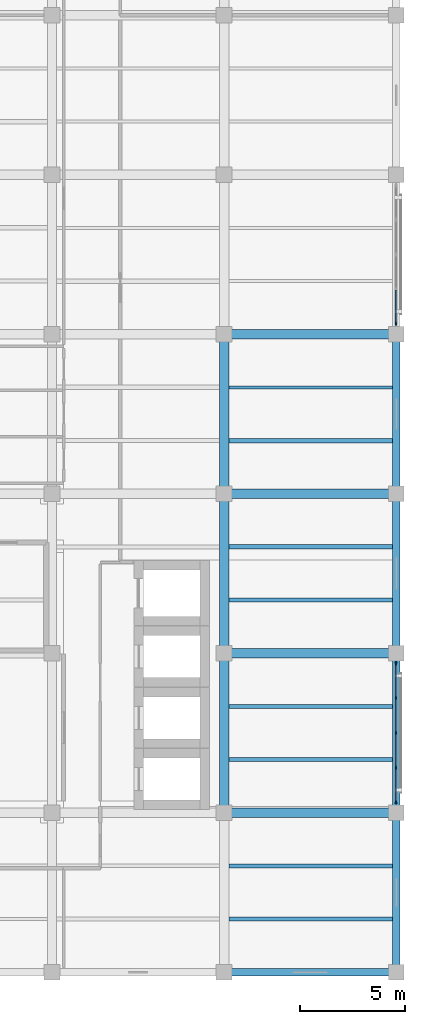
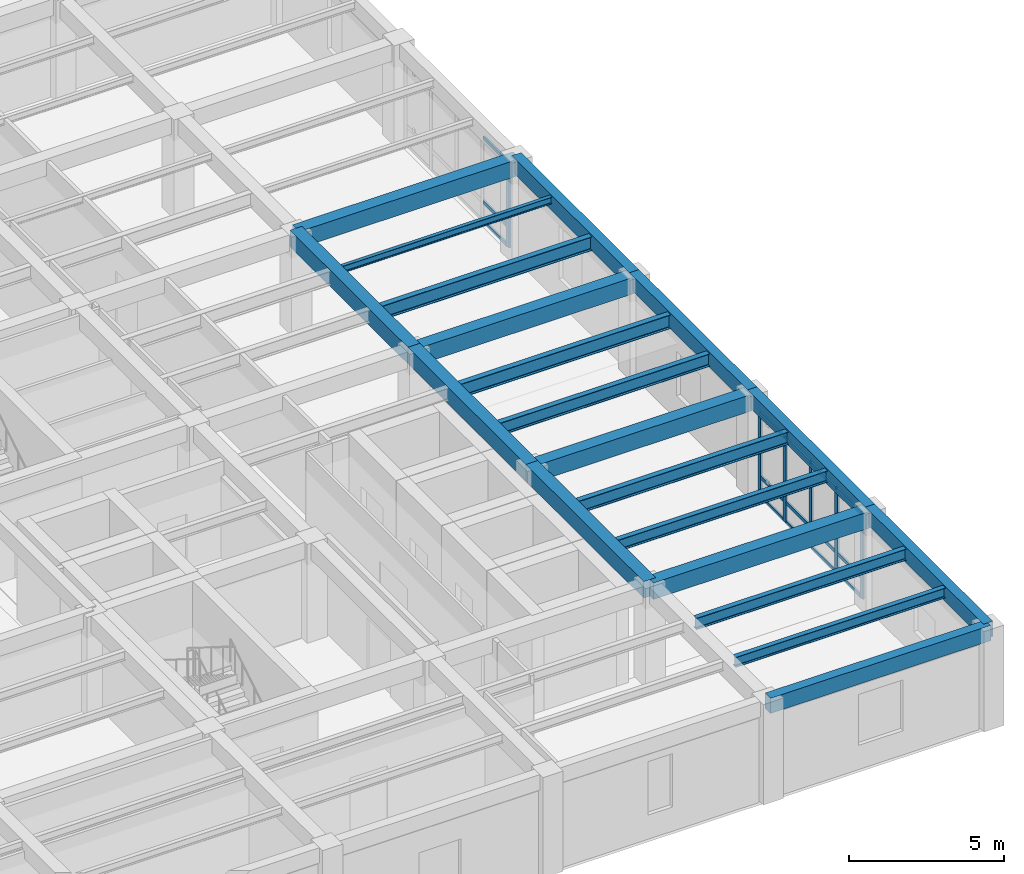
# One storey, part 3 of 14: 21 members, 20 beams, 2 elements without a shape of their own.
"""IFC4 building model written with IfcOpenShell, lengths in metres."""

from ifc_helpers import new_model, si_unit, direction, frame, origin, origin_2d, place, context, subcontext, project, spatial, rectangle, i_section, extrude, material, material_profile, profile_set, type_object, element, aggregate, save


model = new_model("IFC4")

# Units and contexts
model_context = context("Model", 3, precision=1e-05, world=origin(), true_north=direction((0.0, 1.0)))
body_context = subcontext(model_context, "Body", "Model", "MODEL_VIEW")
ifc_project = project(units=[si_unit("LENGTHUNIT", "METRE"), si_unit("AREAUNIT", "SQUARE_METRE"), si_unit("VOLUMEUNIT", "CUBIC_METRE"), si_unit("PLANEANGLEUNIT", "RADIAN"), si_unit("MASSUNIT", "GRAM", prefix="KILO")], contexts=[model_context])

# Site, building, storey
site_placement = place(None, origin())
site = spatial("IfcSite", under=ifc_project, at=site_placement, CompositionType="ELEMENT")
building_placement = place(site_placement, origin())
building = spatial("IfcBuilding", under=site, at=building_placement, Name="Qandaris Square Conservatory and Botanical Centre", CompositionType="ELEMENT")
storey_placement = place(building_placement, frame((0.0, 0.0, 49.199951171875)))
storey = spatial("IfcBuildingStorey", under=building, at=storey_placement, Name="L11", CompositionType="ELEMENT", Elevation=49.199951171875)

# Beams
ifc_material_1 = material(Name="Steel S355", Category="steel")
ifc_material_profile_1 = material_profile(ifc_material_1, i_section(OverallWidth=0.18994140625, OverallDepth=0.449951171875, WebThickness=0.009521484375, FlangeThickness=0.0146484375, FilletRadius=0.02099609375, at=origin_2d()), Name="IPE 450")
ifc_profile_set_1 = profile_set([ifc_material_profile_1], Name="Steel S355")
beam_type_1 = type_object("IfcBeamType", Name="Composite Archive Joist IPE 450", PredefinedType="JOIST", material=ifc_profile_set_1)
for number, where, z_axis, x_axis, name in (
    (1, (155.824951171875, 21.666748046875, 3.6650390625), (1.0, 0.0, 0.0), (0.0, 1.0, 0.0), "L11 Composite Joist 2633"),
    (2, (155.824951171875, 26.7333984375, 3.6650390625), (1.0, 0.0, 0.0), (0.0, 1.0, 0.0), "L11 Composite Joist 2634"),
):
    element("IfcBeam", number, at=place(storey_placement, frame(where, z_axis=z_axis, x_axis=x_axis)), inside=storey, type_object=beam_type_1, Name=name, PredefinedType="JOIST", context=body_context, shape_type="SweptSolid", body=[
        extrude(i_section(OverallWidth=0.18994140625, OverallDepth=0.449951171875, WebThickness=0.009521484375, FlangeThickness=0.0146484375, FilletRadius=0.02099609375, at=origin_2d()), origin(), (0.0, 0.0, 1.0), 7.800048828125),
    ])
ifc_material_profile_2 = material_profile(ifc_material_1, i_section(OverallWidth=0.199951171875, OverallDepth=0.5, WebThickness=0.01025390625, FlangeThickness=0.01611328125, FilletRadius=0.02099609375, at=origin_2d()), Name="IPE 500")
ifc_profile_set_2 = profile_set([ifc_material_profile_2], Name="Steel S355")
beam_type_2 = type_object("IfcBeamType", Name="Composite Gallery Joist IPE 500", PredefinedType="JOIST", material=ifc_profile_set_2)
for number, where, z_axis, x_axis, name in (
    (3, (155.824951171875, 29.2666015625, 3.64013671875), (1.0, 0.0, 0.0), (0.0, 1.0, 0.0), "L11 Composite Joist 2635"),
    (4, (155.824951171875, 34.333251953125, 3.64013671875), (1.0, 0.0, 0.0), (0.0, 1.0, 0.0), "L11 Composite Joist 2636"),
):
    element("IfcBeam", number, at=place(storey_placement, frame(where, z_axis=z_axis, x_axis=x_axis)), inside=storey, type_object=beam_type_2, Name=name, PredefinedType="JOIST", context=body_context, shape_type="SweptSolid", body=[
        extrude(i_section(OverallWidth=0.199951171875, OverallDepth=0.5, WebThickness=0.01025390625, FlangeThickness=0.01611328125, FilletRadius=0.02099609375, at=origin_2d()), origin(), (0.0, 0.0, 1.0), 7.800048828125),
    ])
ifc_material_profile_3 = material_profile(ifc_material_1, i_section(OverallWidth=0.179931640625, OverallDepth=0.39990234375, WebThickness=0.008544921875, FlangeThickness=0.013427734375, FilletRadius=0.02099609375, at=origin_2d()), Name="IPE 400")
ifc_profile_set_3 = profile_set([ifc_material_profile_3], Name="Steel S355")
beam_type_3 = type_object("IfcBeamType", Name="Composite Plinth Joist IPE 400", PredefinedType="JOIST", material=ifc_profile_set_3)
beam_1_placement = place(storey_placement, frame((155.824951171875, 19.13330078125, 3.68994140625), z_axis=(1.0, 0.0, 0.0), x_axis=(0.0, 1.0, 0.0)))
element("IfcBeam", 5, at=beam_1_placement, inside=storey, type_object=beam_type_3, Name="L11 Composite Joist 2632", PredefinedType="JOIST", context=body_context, shape_type="SweptSolid", body=[
    extrude(i_section(OverallWidth=0.179931640625, OverallDepth=0.39990234375, WebThickness=0.008544921875, FlangeThickness=0.013427734375, FilletRadius=0.02099609375, at=origin_2d()), origin(), (0.0, 0.0, 1.0), 7.800048828125),
])

# Curtain wall, members
ifc_material_2 = material(Name="Anodised Aluminium", Category="aluminium")
curtain_wall_type = type_object("IfcCurtainWallType", Name="Unitised Curtain Wall CW-4-665x334", PredefinedType="USERDEFINED", material=ifc_material_2)
curtain_wall_1_placement = place(storey_placement, origin())
curtain_wall_1 = element("IfcCurtainWall", 6, at=curtain_wall_1_placement, inside=storey, type_object=curtain_wall_type, Name="Curtain Wall CW-TWR-L11-2-2", ObjectType="GLAZED CURTAIN WALL", PredefinedType="USERDEFINED")
ifc_material_profile_4 = material_profile(ifc_material_2, rectangle(XDim=0.06494140625, YDim=0.179931640625, at=origin_2d()), Name="ALU-MUL 65x180")
ifc_profile_set_4 = profile_set([ifc_material_profile_4], Name="Anodised Aluminium")
member_type_1 = type_object("IfcMemberType", Name="Curtain Wall Mullion 65x180", PredefinedType="MULLION", material=ifc_profile_set_4)
member_1_placement = place(storey_placement, frame((163.800048828125, 24.70751953125, 0.0), z_axis=(0.0, 0.0, 1.0), x_axis=(-1.0, 0.0, 0.0)))
member_1 = element("IfcMember", 7, at=member_1_placement, type_object=member_type_1, Name="CW-4-665x334 mullion 1", PredefinedType="MULLION", context=body_context, shape_type="SweptSolid", body=[
    extrude(rectangle(XDim=0.06494140625, YDim=0.179931640625, at=origin_2d()), origin(), (0.0, 0.0, 1.0), 3.344970703125),
])
member_2_placement = place(storey_placement, frame((163.800048828125, 26.33740234375, 0.0), z_axis=(0.0, 0.0, 1.0), x_axis=(-1.0, 0.0, 0.0)))
member_2 = element("IfcMember", 8, at=member_2_placement, type_object=member_type_1, Name="CW-4-665x334 mullion 2", PredefinedType="MULLION", context=body_context, shape_type="SweptSolid", body=[
    extrude(rectangle(XDim=0.06494140625, YDim=0.179931640625, at=origin_2d()), origin(), (0.0, 0.0, 1.0), 3.344970703125),
])
member_3_placement = place(storey_placement, frame((163.800048828125, 28.0, 0.0), z_axis=(0.0, 0.0, 1.0), x_axis=(-1.0, 0.0, 0.0)))
member_3 = element("IfcMember", 9, at=member_3_placement, type_object=member_type_1, Name="CW-4-665x334 mullion 3", PredefinedType="MULLION", context=body_context, shape_type="SweptSolid", body=[
    extrude(rectangle(XDim=0.06494140625, YDim=0.179931640625, at=origin_2d()), origin(), (0.0, 0.0, 1.0), 3.344970703125),
])
member_4_placement = place(storey_placement, frame((163.800048828125, 29.66259765625, 0.0), z_axis=(0.0, 0.0, 1.0), x_axis=(-1.0, 0.0, 0.0)))
member_4 = element("IfcMember", 10, at=member_4_placement, type_object=member_type_1, Name="CW-4-665x334 mullion 4", PredefinedType="MULLION", context=body_context, shape_type="SweptSolid", body=[
    extrude(rectangle(XDim=0.06494140625, YDim=0.179931640625, at=origin_2d()), origin(), (0.0, 0.0, 1.0), 3.344970703125),
])
member_5_placement = place(storey_placement, frame((163.800048828125, 31.29248046875, 0.0), z_axis=(0.0, 0.0, 1.0), x_axis=(-1.0, 0.0, 0.0)))
member_5 = element("IfcMember", 11, at=member_5_placement, type_object=member_type_1, Name="CW-4-665x334 mullion 5", PredefinedType="MULLION", context=body_context, shape_type="SweptSolid", body=[
    extrude(rectangle(XDim=0.06494140625, YDim=0.179931640625, at=origin_2d()), origin(), (0.0, 0.0, 1.0), 3.344970703125),
])

# Curtain wall, member
curtain_wall_2_placement = place(storey_placement, origin())
curtain_wall_2 = element("IfcCurtainWall", 12, at=curtain_wall_2_placement, inside=storey, type_object=curtain_wall_type, Name="Curtain Wall CW-TWR-L11-2-5", ObjectType="GLAZED CURTAIN WALL", PredefinedType="USERDEFINED")
member_6_placement = place(storey_placement, frame((163.800048828125, 47.507568359375, 0.0), z_axis=(0.0, 0.0, 1.0), x_axis=(-1.0, 0.0, 0.0)))
member_6 = element("IfcMember", 13, at=member_6_placement, type_object=member_type_1, Name="CW-4-665x334 mullion 1", PredefinedType="MULLION", context=body_context, shape_type="SweptSolid", body=[
    extrude(rectangle(XDim=0.06494140625, YDim=0.179931640625, at=origin_2d()), origin(), (0.0, 0.0, 1.0), 3.344970703125),
])

# Member
ifc_material_profile_5 = material_profile(ifc_material_2, rectangle(XDim=0.06494140625, YDim=0.139892578125, at=origin_2d()), Name="ALU-TRN 65x140")
ifc_profile_set_5 = profile_set([ifc_material_profile_5], Name="Anodised Aluminium")
member_type_2 = type_object("IfcMemberType", Name="Curtain Wall Transom 65x140", PredefinedType="USERDEFINED", material=ifc_profile_set_5)
member_7_placement = place(storey_placement, frame((163.800048828125, 24.739990234375, 0.032470703125), z_axis=(0.0, 1.0, 0.0), x_axis=(-1.0, 0.0, 0.0)))
member_7 = element("IfcMember", 14, at=member_7_placement, type_object=member_type_2, Name="CW-4-665x334 transom 1.1", ObjectType="TRANSOM", PredefinedType="USERDEFINED", context=body_context, shape_type="SweptSolid", body=[
    extrude(rectangle(XDim=0.06494140625, YDim=0.139892578125, at=origin_2d()), origin(), (0.0, 0.0, 1.0), 1.56494140625),
])

member_8_placement = place(storey_placement, frame((163.800048828125, 24.739990234375, 0.802734375), z_axis=(0.0, 1.0, 0.0), x_axis=(-1.0, 0.0, 0.0)))
member_8 = element("IfcMember", 15, at=member_8_placement, type_object=member_type_2, Name="CW-4-665x334 transom 1.2", ObjectType="TRANSOM", PredefinedType="USERDEFINED", context=body_context, shape_type="SweptSolid", body=[
    extrude(rectangle(XDim=0.06494140625, YDim=0.139892578125, at=origin_2d()), origin(), (0.0, 0.0, 1.0), 1.56494140625),
])

member_9_placement = place(storey_placement, frame((163.800048828125, 24.739990234375, 3.3125), z_axis=(0.0, 1.0, 0.0), x_axis=(-1.0, 0.0, 0.0)))
member_9 = element("IfcMember", 16, at=member_9_placement, type_object=member_type_2, Name="CW-4-665x334 transom 1.3", ObjectType="TRANSOM", PredefinedType="USERDEFINED", context=body_context, shape_type="SweptSolid", body=[
    extrude(rectangle(XDim=0.06494140625, YDim=0.139892578125, at=origin_2d()), origin(), (0.0, 0.0, 1.0), 1.56494140625),
])

member_10_placement = place(storey_placement, frame((163.800048828125, 26.3701171875, 0.032470703125), z_axis=(0.0, 1.0, 0.0), x_axis=(-1.0, 0.0, 0.0)))
member_10 = element("IfcMember", 17, at=member_10_placement, type_object=member_type_2, Name="CW-4-665x334 transom 2.1", ObjectType="TRANSOM", PredefinedType="USERDEFINED", context=body_context, shape_type="SweptSolid", body=[
    extrude(rectangle(XDim=0.06494140625, YDim=0.139892578125, at=origin_2d()), origin(), (0.0, 0.0, 1.0), 1.597412109375),
])

member_11_placement = place(storey_placement, frame((163.800048828125, 26.3701171875, 0.802734375), z_axis=(0.0, 1.0, 0.0), x_axis=(-1.0, 0.0, 0.0)))
member_11 = element("IfcMember", 18, at=member_11_placement, type_object=member_type_2, Name="CW-4-665x334 transom 2.2", ObjectType="TRANSOM", PredefinedType="USERDEFINED", context=body_context, shape_type="SweptSolid", body=[
    extrude(rectangle(XDim=0.06494140625, YDim=0.139892578125, at=origin_2d()), origin(), (0.0, 0.0, 1.0), 1.597412109375),
])

member_12_placement = place(storey_placement, frame((163.800048828125, 26.3701171875, 3.3125), z_axis=(0.0, 1.0, 0.0), x_axis=(-1.0, 0.0, 0.0)))
member_12 = element("IfcMember", 19, at=member_12_placement, type_object=member_type_2, Name="CW-4-665x334 transom 2.3", ObjectType="TRANSOM", PredefinedType="USERDEFINED", context=body_context, shape_type="SweptSolid", body=[
    extrude(rectangle(XDim=0.06494140625, YDim=0.139892578125, at=origin_2d()), origin(), (0.0, 0.0, 1.0), 1.597412109375),
])

member_13_placement = place(storey_placement, frame((163.800048828125, 28.032470703125, 0.032470703125), z_axis=(0.0, 1.0, 0.0), x_axis=(-1.0, 0.0, 0.0)))
member_13 = element("IfcMember", 20, at=member_13_placement, type_object=member_type_2, Name="CW-4-665x334 transom 3.1", ObjectType="TRANSOM", PredefinedType="USERDEFINED", context=body_context, shape_type="SweptSolid", body=[
    extrude(rectangle(XDim=0.06494140625, YDim=0.139892578125, at=origin_2d()), origin(), (0.0, 0.0, 1.0), 1.597412109375),
])

member_14_placement = place(storey_placement, frame((163.800048828125, 28.032470703125, 0.802734375), z_axis=(0.0, 1.0, 0.0), x_axis=(-1.0, 0.0, 0.0)))
member_14 = element("IfcMember", 21, at=member_14_placement, type_object=member_type_2, Name="CW-4-665x334 transom 3.2", ObjectType="TRANSOM", PredefinedType="USERDEFINED", context=body_context, shape_type="SweptSolid", body=[
    extrude(rectangle(XDim=0.06494140625, YDim=0.139892578125, at=origin_2d()), origin(), (0.0, 0.0, 1.0), 1.597412109375),
])

member_15_placement = place(storey_placement, frame((163.800048828125, 28.032470703125, 3.3125), z_axis=(0.0, 1.0, 0.0), x_axis=(-1.0, 0.0, 0.0)))
member_15 = element("IfcMember", 22, at=member_15_placement, type_object=member_type_2, Name="CW-4-665x334 transom 3.3", ObjectType="TRANSOM", PredefinedType="USERDEFINED", context=body_context, shape_type="SweptSolid", body=[
    extrude(rectangle(XDim=0.06494140625, YDim=0.139892578125, at=origin_2d()), origin(), (0.0, 0.0, 1.0), 1.597412109375),
])

member_16_placement = place(storey_placement, frame((163.800048828125, 29.695068359375, 0.032470703125), z_axis=(0.0, 1.0, 0.0), x_axis=(-1.0, 0.0, 0.0)))
member_16 = element("IfcMember", 23, at=member_16_placement, type_object=member_type_2, Name="CW-4-665x334 transom 4.1", ObjectType="TRANSOM", PredefinedType="USERDEFINED", context=body_context, shape_type="SweptSolid", body=[
    extrude(rectangle(XDim=0.06494140625, YDim=0.139892578125, at=origin_2d()), origin(), (0.0, 0.0, 1.0), 1.56494140625),
])

member_17_placement = place(storey_placement, frame((163.800048828125, 29.695068359375, 0.802734375), z_axis=(0.0, 1.0, 0.0), x_axis=(-1.0, 0.0, 0.0)))
member_17 = element("IfcMember", 24, at=member_17_placement, type_object=member_type_2, Name="CW-4-665x334 transom 4.2", ObjectType="TRANSOM", PredefinedType="USERDEFINED", context=body_context, shape_type="SweptSolid", body=[
    extrude(rectangle(XDim=0.06494140625, YDim=0.139892578125, at=origin_2d()), origin(), (0.0, 0.0, 1.0), 1.56494140625),
])

member_18_placement = place(storey_placement, frame((163.800048828125, 29.695068359375, 3.3125), z_axis=(0.0, 1.0, 0.0), x_axis=(-1.0, 0.0, 0.0)))
member_18 = element("IfcMember", 25, at=member_18_placement, type_object=member_type_2, Name="CW-4-665x334 transom 4.3", ObjectType="TRANSOM", PredefinedType="USERDEFINED", context=body_context, shape_type="SweptSolid", body=[
    extrude(rectangle(XDim=0.06494140625, YDim=0.139892578125, at=origin_2d()), origin(), (0.0, 0.0, 1.0), 1.56494140625),
])

aggregate(curtain_wall_1, [member_1, member_2, member_3, member_4, member_5, member_7, member_8, member_9, member_10, member_11, member_12, member_13, member_14, member_15, member_16, member_17, member_18])

member_19_placement = place(storey_placement, frame((163.800048828125, 47.5400390625, 0.032470703125), z_axis=(0.0, 1.0, 0.0), x_axis=(-1.0, 0.0, 0.0)))
member_19 = element("IfcMember", 26, at=member_19_placement, type_object=member_type_2, Name="CW-4-665x334 transom 1.1", ObjectType="TRANSOM", PredefinedType="USERDEFINED", context=body_context, shape_type="SweptSolid", body=[
    extrude(rectangle(XDim=0.06494140625, YDim=0.139892578125, at=origin_2d()), origin(), (0.0, 0.0, 1.0), 1.56494140625),
])

member_20_placement = place(storey_placement, frame((163.800048828125, 47.5400390625, 0.802734375), z_axis=(0.0, 1.0, 0.0), x_axis=(-1.0, 0.0, 0.0)))
member_20 = element("IfcMember", 27, at=member_20_placement, type_object=member_type_2, Name="CW-4-665x334 transom 1.2", ObjectType="TRANSOM", PredefinedType="USERDEFINED", context=body_context, shape_type="SweptSolid", body=[
    extrude(rectangle(XDim=0.06494140625, YDim=0.139892578125, at=origin_2d()), origin(), (0.0, 0.0, 1.0), 1.56494140625),
])

member_21_placement = place(storey_placement, frame((163.800048828125, 47.5400390625, 3.3125), z_axis=(0.0, 1.0, 0.0), x_axis=(-1.0, 0.0, 0.0)))
member_21 = element("IfcMember", 28, at=member_21_placement, type_object=member_type_2, Name="CW-4-665x334 transom 1.3", ObjectType="TRANSOM", PredefinedType="USERDEFINED", context=body_context, shape_type="SweptSolid", body=[
    extrude(rectangle(XDim=0.06494140625, YDim=0.139892578125, at=origin_2d()), origin(), (0.0, 0.0, 1.0), 1.56494140625),
])

aggregate(curtain_wall_2, [member_6, member_19, member_20, member_21])

# Beams
ifc_material_profile_6 = material_profile(ifc_material_1, i_section(OverallWidth=0.2099609375, OverallDepth=0.550048828125, WebThickness=0.010986328125, FlangeThickness=0.01708984375, FilletRadius=0.02392578125, at=origin_2d()), Name="IPE 550")
ifc_profile_set_6 = profile_set([ifc_material_profile_6], Name="Steel S355")
beam_type_4 = type_object("IfcBeamType", Name="Long-Span Foyer Joist IPE 550", PredefinedType="JOIST", material=ifc_profile_set_6)
for number, where, z_axis, x_axis, name in (
    (29, (155.824951171875, 36.86669921875, 3.614990234375), (1.0, 0.0, 0.0), (0.0, 1.0, 0.0), "L11 Composite Joist 2637"),
    (30, (155.824951171875, 41.933349609375, 3.614990234375), (1.0, 0.0, 0.0), (0.0, 1.0, 0.0), "L11 Composite Joist 2638"),
):
    element("IfcBeam", number, at=place(storey_placement, frame(where, z_axis=z_axis, x_axis=x_axis)), inside=storey, type_object=beam_type_4, Name=name, PredefinedType="JOIST", context=body_context, shape_type="SweptSolid", body=[
        extrude(i_section(OverallWidth=0.2099609375, OverallDepth=0.550048828125, WebThickness=0.010986328125, FlangeThickness=0.01708984375, FilletRadius=0.02392578125, at=origin_2d()), origin(), (0.0, 0.0, 1.0), 7.800048828125),
    ])
ifc_material_3 = material(Name="Concrete C50/60", Category="concrete")
ifc_material_profile_7 = material_profile(ifc_material_3, rectangle(XDim=0.35009765625, YDim=0.60009765625, at=origin_2d()), Name="RC-SP 350x600")
ifc_profile_set_7 = profile_set([ifc_material_profile_7], Name="Concrete C50/60")
beam_type_5 = type_object("IfcBeamType", Name="RC Edge Spandrel Beam 350x600", PredefinedType="SPANDREL", material=ifc_profile_set_7)
beam_2_placement = place(storey_placement, frame((155.60009765625, 16.60009765625, 3.64501953125), z_axis=(1.0, 0.0, 0.0), x_axis=(0.0, 1.0, 0.0)))
element("IfcBeam", 31, at=beam_2_placement, inside=storey, type_object=beam_type_5, Name="L11 Frame Beam 2547", PredefinedType="SPANDREL", context=body_context, shape_type="SweptSolid", body=[
    extrude(rectangle(XDim=0.35009765625, YDim=0.60009765625, at=origin_2d()), origin(), (0.0, 0.0, 1.0), 8.199951171875),
])
beam_3_placement = place(storey_placement, frame((163.800048828125, 16.60009765625, 3.64501953125), z_axis=(0.0, 1.0, 0.0), x_axis=(-1.0, 0.0, 0.0)))
element("IfcBeam", 32, at=beam_3_placement, inside=storey, type_object=beam_type_5, Name="L11 Frame Beam 2601", PredefinedType="SPANDREL", context=body_context, shape_type="SweptSolid", body=[
    extrude(rectangle(XDim=0.35009765625, YDim=0.60009765625, at=origin_2d()), origin(), (0.0, 0.0, 1.0), 7.599853515625),
])
beam_4_placement = place(storey_placement, frame((163.800048828125, 24.199951171875, 3.64501953125), z_axis=(0.0, 1.0, 0.0), x_axis=(-1.0, 0.0, 0.0)))
element("IfcBeam", 33, at=beam_4_placement, inside=storey, type_object=beam_type_5, Name="L11 Frame Beam 2602", PredefinedType="SPANDREL", context=body_context, shape_type="SweptSolid", body=[
    extrude(rectangle(XDim=0.35009765625, YDim=0.60009765625, at=origin_2d()), origin(), (0.0, 0.0, 1.0), 7.60009765625),
])
beam_5_placement = place(storey_placement, frame((163.800048828125, 31.800048828125, 3.64501953125), z_axis=(0.0, 1.0, 0.0), x_axis=(-1.0, 0.0, 0.0)))
element("IfcBeam", 34, at=beam_5_placement, inside=storey, type_object=beam_type_5, Name="L11 Frame Beam 2603", PredefinedType="SPANDREL", context=body_context, shape_type="SweptSolid", body=[
    extrude(rectangle(XDim=0.35009765625, YDim=0.60009765625, at=origin_2d()), origin(), (0.0, 0.0, 1.0), 7.599853515625),
])
beam_6_placement = place(storey_placement, frame((163.800048828125, 39.39990234375, 3.64501953125), z_axis=(0.0, 1.0, 0.0), x_axis=(-1.0, 0.0, 0.0)))
element("IfcBeam", 35, at=beam_6_placement, inside=storey, type_object=beam_type_5, Name="L11 Frame Beam 2604", PredefinedType="SPANDREL", context=body_context, shape_type="SweptSolid", body=[
    extrude(rectangle(XDim=0.35009765625, YDim=0.60009765625, at=origin_2d()), origin(), (0.0, 0.0, 1.0), 7.60009765625),
])
ifc_material_profile_8 = material_profile(ifc_material_3, rectangle(XDim=0.449951171875, YDim=0.64990234375, at=origin_2d()), Name="RC-BM 450x650")
ifc_profile_set_8 = profile_set([ifc_material_profile_8], Name="Concrete C50/60")
beam_type_6 = type_object("IfcBeamType", Name="RC Floor Girder 450x650", PredefinedType="BEAM", material=ifc_profile_set_8)
for number, where, z_axis, x_axis, name in (
    (36, (155.60009765625, 24.199951171875, 3.574951171875), (1.0, 0.0, 0.0), (0.0, 1.0, 0.0), "L11 Frame Beam 2552"),
    (37, (155.60009765625, 31.800048828125, 3.574951171875), (1.0, 0.0, 0.0), (0.0, 1.0, 0.0), "L11 Frame Beam 2556"),
    (38, (155.60009765625, 39.39990234375, 3.574951171875), (1.0, 0.0, 0.0), (0.0, 1.0, 0.0), "L11 Frame Beam 2561"),
    (39, (155.60009765625, 47.0, 3.574951171875), (1.0, 0.0, 0.0), (0.0, 1.0, 0.0), "L11 Frame Beam 2564"),
):
    element("IfcBeam", number, at=place(storey_placement, frame(where, z_axis=z_axis, x_axis=x_axis)), inside=storey, type_object=beam_type_6, Name=name, PredefinedType="BEAM", context=body_context, shape_type="SweptSolid", body=[
        extrude(rectangle(XDim=0.449951171875, YDim=0.64990234375, at=origin_2d()), origin(), (0.0, 0.0, 1.0), 8.199951171875),
    ])
beam_7_placement = place(storey_placement, frame((155.60009765625, 24.199951171875, 3.574951171875), z_axis=(0.0, 1.0, 0.0), x_axis=(-1.0, 0.0, 0.0)))
element("IfcBeam", 40, at=beam_7_placement, inside=storey, type_object=beam_type_6, Name="L11 Frame Beam 2595", PredefinedType="BEAM", context=body_context, shape_type="SweptSolid", body=[
    extrude(rectangle(XDim=0.449951171875, YDim=0.64990234375, at=origin_2d()), origin(), (0.0, 0.0, 1.0), 7.60009765625),
])
beam_8_placement = place(storey_placement, frame((155.60009765625, 31.800048828125, 3.574951171875), z_axis=(0.0, 1.0, 0.0), x_axis=(-1.0, 0.0, 0.0)))
element("IfcBeam", 41, at=beam_8_placement, inside=storey, type_object=beam_type_6, Name="L11 Frame Beam 2596", PredefinedType="BEAM", context=body_context, shape_type="SweptSolid", body=[
    extrude(rectangle(XDim=0.449951171875, YDim=0.64990234375, at=origin_2d()), origin(), (0.0, 0.0, 1.0), 7.599853515625),
])
beam_9_placement = place(storey_placement, frame((155.60009765625, 39.39990234375, 3.574951171875), z_axis=(0.0, 1.0, 0.0), x_axis=(-1.0, 0.0, 0.0)))
element("IfcBeam", 42, at=beam_9_placement, inside=storey, type_object=beam_type_6, Name="L11 Frame Beam 2597", PredefinedType="BEAM", context=body_context, shape_type="SweptSolid", body=[
    extrude(rectangle(XDim=0.449951171875, YDim=0.64990234375, at=origin_2d()), origin(), (0.0, 0.0, 1.0), 7.60009765625),
])
ifc_material_profile_9 = material_profile(ifc_material_1, i_section(OverallWidth=0.135009765625, OverallDepth=0.27001953125, WebThickness=0.006591796875, FlangeThickness=0.01025390625, FilletRadius=0.014892578125, at=origin_2d()), Name="IPE 270")
ifc_profile_set_9 = profile_set([ifc_material_profile_9], Name="Steel S355")
beam_type_7 = type_object("IfcBeamType", Name="Steel Floor Joist IPE 270", PredefinedType="JOIST", material=ifc_profile_set_9)
beam_10_placement = place(storey_placement, frame((155.824951171875, 44.466796875, 3.755126953125), z_axis=(1.0, 0.0, 0.0), x_axis=(0.0, 1.0, 0.0)))
element("IfcBeam", 43, at=beam_10_placement, inside=storey, type_object=beam_type_7, Name="L11 Composite Joist 2639", PredefinedType="JOIST", context=body_context, shape_type="SweptSolid", body=[
    extrude(i_section(OverallWidth=0.135009765625, OverallDepth=0.27001953125, WebThickness=0.006591796875, FlangeThickness=0.01025390625, FilletRadius=0.014892578125, at=origin_2d()), origin(), (0.0, 0.0, 1.0), 7.800048828125),
])

save(model, "model.ifc")
